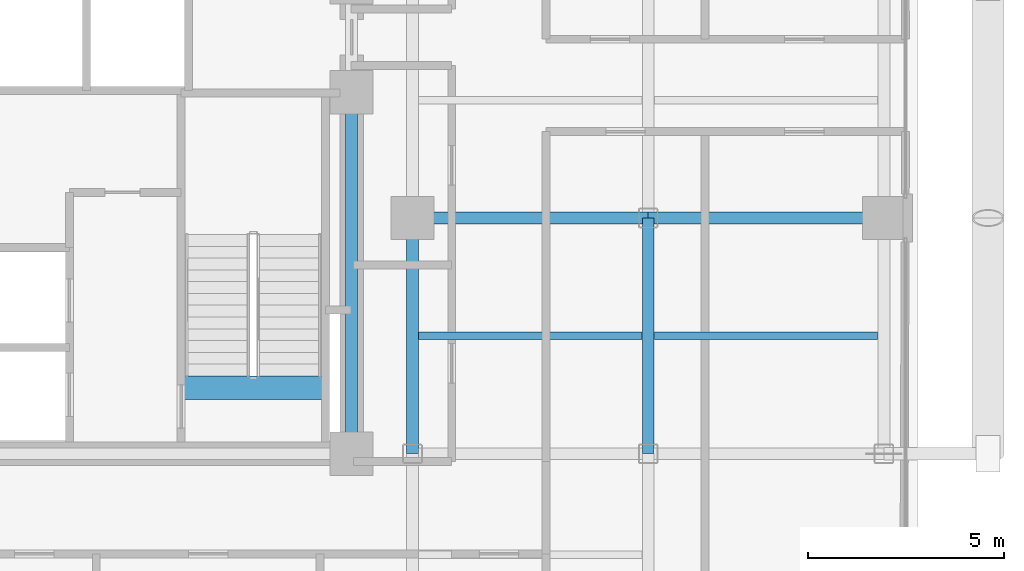
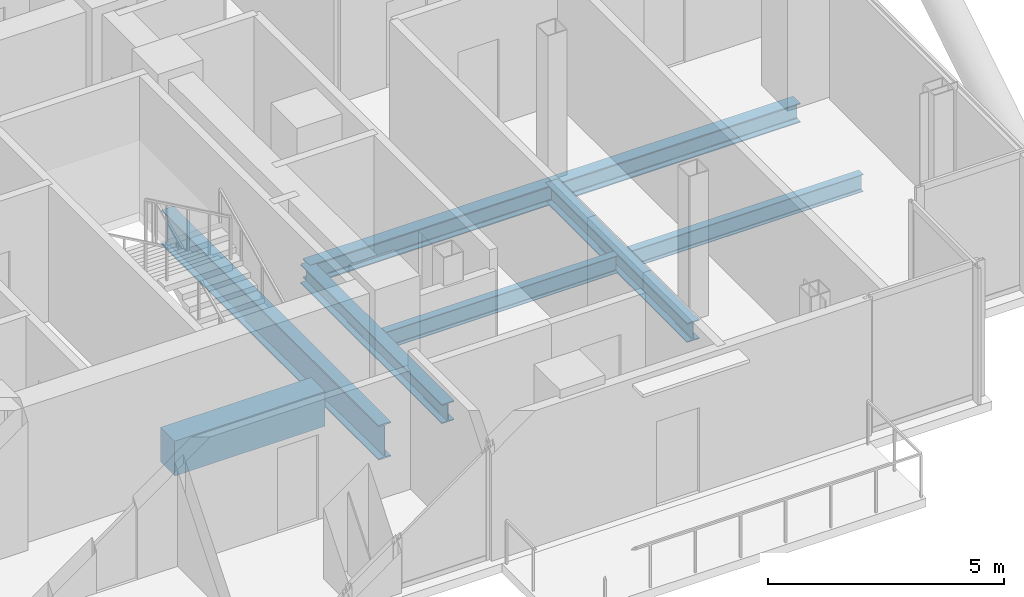
# One storey, part 11 of 28: 8 beams.
"""IFC4 building model written with IfcOpenShell, lengths in metres."""

from ifc_helpers import new_model, si_unit, direction, frame, origin, origin_2d, place, context, subcontext, project, spatial, rectangle, i_section, extrude, material, material_profile, profile_set, type_object, element, save


model = new_model("IFC4")

# Units and contexts
model_context = context("Model", 3, precision=1e-05, world=origin(), true_north=direction((0.0, 1.0)))
body_context = subcontext(model_context, "Body", "Model", "MODEL_VIEW")
ifc_project = project(units=[si_unit("LENGTHUNIT", "METRE"), si_unit("AREAUNIT", "SQUARE_METRE"), si_unit("VOLUMEUNIT", "CUBIC_METRE"), si_unit("PLANEANGLEUNIT", "RADIAN"), si_unit("MASSUNIT", "GRAM", prefix="KILO"), si_unit("THERMODYNAMICTEMPERATUREUNIT", "KELVIN"), si_unit("POWERUNIT", "WATT")], contexts=[model_context])

# Site, building, storey
site_placement = place(None, origin())
site = spatial("IfcSite", under=ifc_project, at=site_placement, CompositionType="ELEMENT")
building_placement = place(site_placement, origin())
building = spatial("IfcBuilding", under=site, at=building_placement, Name="Svarakhadi Broadcast Tower", CompositionType="ELEMENT")
storey_placement = place(building_placement, frame((0.0, 0.0, 119.39990234375)))
storey = spatial("IfcBuildingStorey", under=building, at=storey_placement, Name="L28", CompositionType="ELEMENT", Elevation=119.39990234375)

# Beams
ifc_material_1 = material(Name="Steel S355J2 (IS 2062 E350C)", Category="steel")
ifc_material_profile_1 = material_profile(ifc_material_1, i_section(OverallWidth=0.18994140625, OverallDepth=0.449951171875, WebThickness=0.009521484375, FlangeThickness=0.0146484375, FilletRadius=0.02099609375, at=origin_2d()), Name="NPB 450x190x78")
ifc_profile_set_1 = profile_set([ifc_material_profile_1], Name="Steel S355J2 (IS 2062 E350C)")
beam_type_1 = type_object("IfcBeamType", Name="Beam_NPB450", PredefinedType="BEAM", material=ifc_profile_set_1)
for number, where, z_axis, x_axis, name in (
    (1, (35.31005859375, 9.0, -0.449951171875), (1.0, 0.0, 0.0), (0.0, 1.0, 0.0), "L28 Secondary Composite Beam SB020"),
    (2, (41.31005859375, 9.0, -0.449951171875), (1.0, 0.0, 0.0), (0.0, 1.0, 0.0), "L28 Secondary Composite Beam SB022"),
):
    element("IfcBeam", number, at=place(storey_placement, frame(where, z_axis=z_axis, x_axis=x_axis)), inside=storey, type_object=beam_type_1, Name=name, PredefinedType="BEAM", context=body_context, shape_type="SweptSolid", body=[
        extrude(i_section(OverallWidth=0.18994140625, OverallDepth=0.449951171875, WebThickness=0.009521484375, FlangeThickness=0.0146484375, FilletRadius=0.02099609375, at=origin_2d()), origin(), (0.0, 0.0, 1.0), 5.679931640625),
    ])
ifc_material_2 = material(Name="Concrete C50/60 (IS 456 M60)", Category="concrete")
ifc_material_profile_2 = material_profile(ifc_material_2, rectangle(XDim=0.60009765625, YDim=0.89990234375, at=origin_2d()), Name="RC 600x900")
ifc_profile_set_2 = profile_set([ifc_material_profile_2], Name="Concrete C50/60 (IS 456 M60)")
beam_type_2 = type_object("IfcBeamType", Name="Coupling_RC600", PredefinedType="USERDEFINED", material=ifc_profile_set_2)
beam_1_placement = place(storey_placement, frame((29.260009765625, 7.679931640625, -0.449951171875), z_axis=(1.0, 0.0, 0.0), x_axis=(0.0, 1.0, 0.0)))
element("IfcBeam", 3, at=beam_1_placement, inside=storey, type_object=beam_type_2, Name="L28 Stair ST-02 Landing Throat Trimmer Beam CB-01", ObjectType="GIRDER", PredefinedType="USERDEFINED", context=body_context, shape_type="SweptSolid", body=[
    extrude(rectangle(XDim=0.60009765625, YDim=0.89990234375, at=origin_2d()), origin(), (0.0, 0.0, 1.0), 3.679931640625),
])
ifc_material_profile_3 = material_profile(ifc_material_1, i_section(OverallWidth=0.300048828125, OverallDepth=0.5, WebThickness=0.014404296875, FlangeThickness=0.028076171875, FilletRadius=0.027099609375, at=origin_2d()), Name="WPB 500x300x187")
ifc_profile_set_3 = profile_set([ifc_material_profile_3], Name="Steel S355J2 (IS 2062 E350C)")
beam_type_3 = type_object("IfcBeamType", Name="Girder_WPB500", PredefinedType="USERDEFINED", material=ifc_profile_set_3)
for number, where, z_axis, x_axis, name in (
    (4, (35.14990234375, 12.0, -0.474853515625), (1.0, 0.0, 0.0), (0.0, 1.0, 0.0), "L28 Primary E-W Girder G021"),
    (5, (41.14990234375, 12.0, -0.474853515625), (1.0, 0.0, 0.0), (0.0, 1.0, 0.0), "L28 Primary E-W Girder G022"),
    (6, (35.14990234375, 6.0, -0.474853515625), (0.0, 1.0, 0.0), (-1.0, 0.0, 0.0), "L28 Primary N-S Girder G068"),
    (7, (41.14990234375, 6.0, -0.474853515625), (0.0, 1.0, 0.0), (-1.0, 0.0, 0.0), "L28 Primary N-S Girder G071"),
):
    element("IfcBeam", number, at=place(storey_placement, frame(where, z_axis=z_axis, x_axis=x_axis)), inside=storey, type_object=beam_type_3, Name=name, ObjectType="GIRDER", PredefinedType="USERDEFINED", context=body_context, shape_type="SweptSolid", body=[
        extrude(i_section(OverallWidth=0.300048828125, OverallDepth=0.5, WebThickness=0.014404296875, FlangeThickness=0.028076171875, FilletRadius=0.027099609375, at=origin_2d()), origin(), (0.0, 0.0, 1.0), 6.0),
    ])
ifc_material_3 = material(Name="Steel S460ML (IS 2062 E450BR)", Category="steel")
ifc_material_profile_4 = material_profile(ifc_material_3, i_section(OverallWidth=0.300048828125, OverallDepth=0.89990234375, WebThickness=0.0185546875, FlangeThickness=0.034912109375, FilletRadius=0.030029296875, at=origin_2d()), Name="WPB 900x300x291")
ifc_profile_set_4 = profile_set([ifc_material_profile_4], Name="Steel S460ML (IS 2062 E450BR)")
beam_type_4 = type_object("IfcBeamType", Name="Girder_WPB900", PredefinedType="USERDEFINED", material=ifc_profile_set_4)
beam_2_placement = place(storey_placement, frame((33.60009765625, 6.0, -0.6748046875), z_axis=(0.0, 1.0, 0.0), x_axis=(-1.0, 0.0, 0.0)))
element("IfcBeam", 8, at=beam_2_placement, inside=storey, type_object=beam_type_4, Name="L28 Primary N-S Girder G065", ObjectType="GIRDER", PredefinedType="USERDEFINED", context=body_context, shape_type="SweptSolid", body=[
    extrude(i_section(OverallWidth=0.300048828125, OverallDepth=0.89990234375, WebThickness=0.0185546875, FlangeThickness=0.034912109375, FilletRadius=0.030029296875, at=origin_2d()), origin(), (0.0, 0.0, 1.0), 9.199951171875),
])

save(model, "model.ifc")
